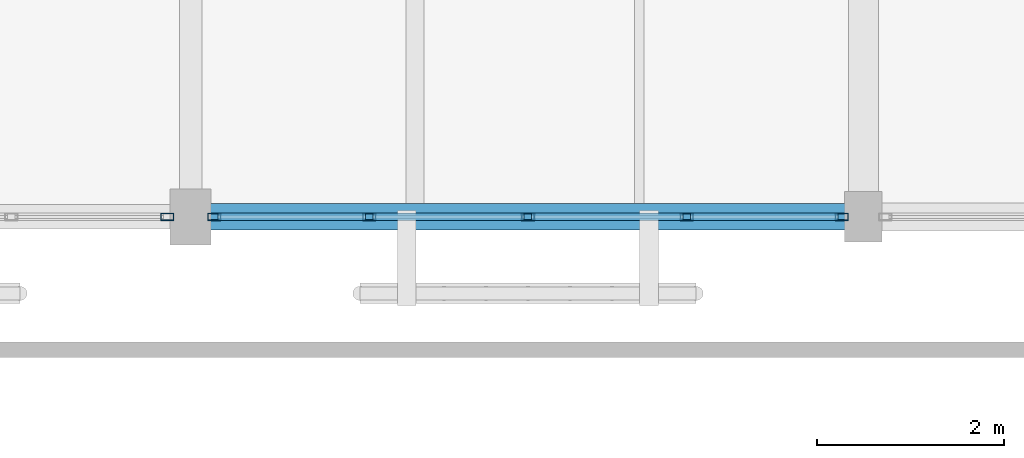
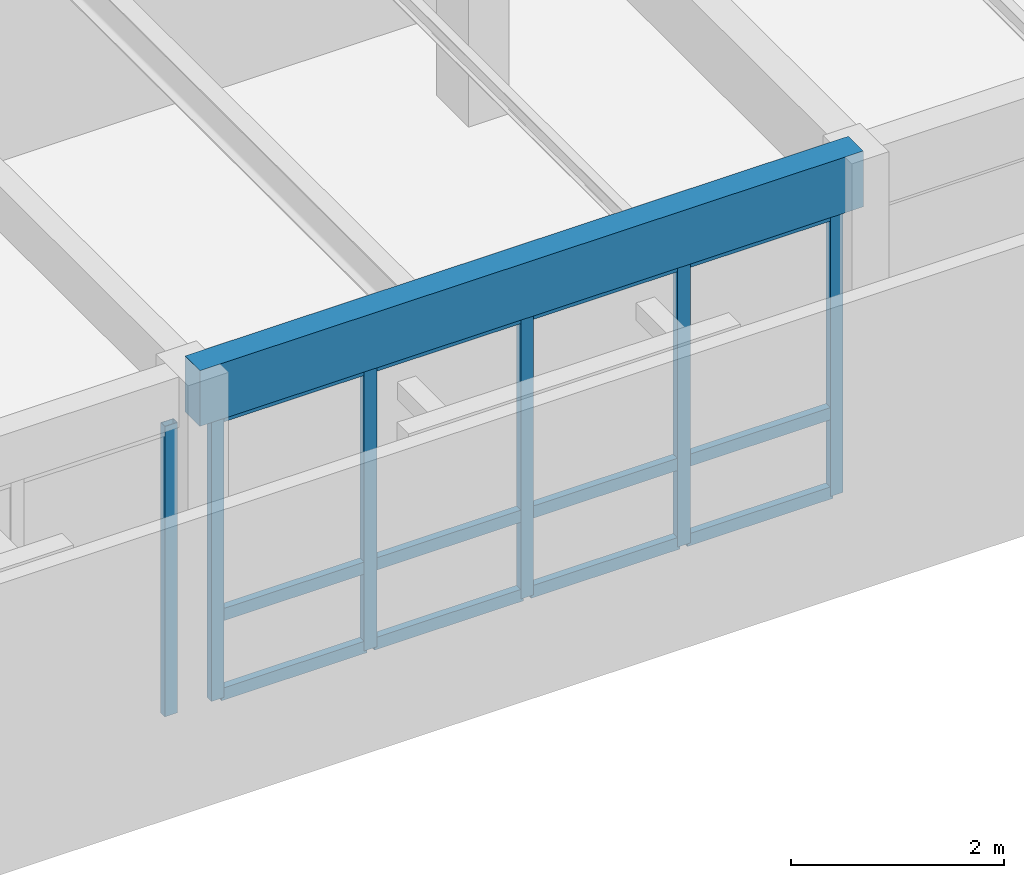
# One storey, part 153 of 217: 18 members, 1 beam, 2 elements without a shape of their own.
"""IFC4 building model written with IfcOpenShell, lengths in metres."""

from ifc_helpers import new_model, si_unit, direction, frame, origin, origin_2d, place, context, subcontext, project, spatial, rectangle, hollow_rectangle, extrude, material, layer, layer_set, material_profile, profile_set, type_object, element, aggregate, save


model = new_model("IFC4")

# Units and contexts
model_context = context("Model", 3, precision=1e-05, world=origin(), true_north=direction((0.0, 1.0)))
body_context = subcontext(model_context, "Body", "Model", "MODEL_VIEW")
ifc_project = project(units=[si_unit("LENGTHUNIT", "METRE"), si_unit("AREAUNIT", "SQUARE_METRE"), si_unit("VOLUMEUNIT", "CUBIC_METRE"), si_unit("PLANEANGLEUNIT", "RADIAN"), si_unit("MASSUNIT", "GRAM", prefix="KILO")], contexts=[model_context])

# Site, building, storey
site_placement = place(None, origin())
site = spatial("IfcSite", under=ifc_project, at=site_placement, CompositionType="ELEMENT")
building_placement = place(site_placement, origin())
building = spatial("IfcBuilding", under=site, at=building_placement, Name="Mazaris Harbour Polytechnic", CompositionType="ELEMENT")
storey_placement = place(building_placement, frame((0.0, 0.0, 9.60009765625)))
storey = spatial("IfcBuildingStorey", under=building, at=storey_placement, Name="L02", CompositionType="ELEMENT", Elevation=9.60009765625)

# Curtain wall, member
ifc_material_1 = material(Name="Anodised Bronze Aluminium and Low-E Glass", Category="aluminium")
ifc_layer = layer(ifc_material_1, 0.169921875, Name="Anodised Bronze Aluminium and Low-E Glass")
ifc_layer_set = layer_set([ifc_layer], Name="Anodised Bronze Aluminium and Low-E Glass")
curtain_wall_type = type_object("IfcCurtainWallType", Name="Studio North-Light Curtain Wall", PredefinedType="NOTDEFINED", material=ifc_layer_set)
curtain_wall_1_placement = place(storey_placement, origin())
curtain_wall_1 = element("IfcCurtainWall", 1, at=curtain_wall_1_placement, inside=storey, type_object=curtain_wall_type, Name="V5 L02 Curtain Wall 238", PredefinedType="NOTDEFINED")
ifc_material_2 = material(Name="Anodised Bronze Steel S355", Category="steel")
ifc_material_profile_1 = material_profile(ifc_material_2, hollow_rectangle(XDim=0.080078125, YDim=0.139892578125, WallThickness=0.00634765625, at=origin_2d()), Name="RHS 80x140x6.3")
ifc_profile_set_1 = profile_set([ifc_material_profile_1], Name="Anodised Bronze Steel S355")
member_type_1 = type_object("IfcMemberType", Name="Curtain Mullion RHS80x140", PredefinedType="MULLION", material=ifc_profile_set_1)
member_1_placement = place(storey_placement, frame((143.748046875, 86.39990234375, 0.0), z_axis=(0.0, 0.0, 1.0), x_axis=(0.0, -1.0, 0.0)))
member_1 = element("IfcMember", 2, at=member_1_placement, type_object=member_type_1, Name="CW-03 mullion 1", PredefinedType="MULLION", context=body_context, shape_type="SweptSolid", body=[
    extrude(hollow_rectangle(XDim=0.080078125, YDim=0.139892578125, WallThickness=0.00634765625, at=origin_2d()), origin(), (0.0, 0.0, 1.0), 3.329833984375),
])
aggregate(curtain_wall_1, [member_1])

# Curtain wall, members
curtain_wall_2_placement = place(storey_placement, origin())
curtain_wall_2 = element("IfcCurtainWall", 3, at=curtain_wall_2_placement, inside=storey, type_object=curtain_wall_type, Name="V5 L02 Curtain Wall 239", PredefinedType="NOTDEFINED")
member_2_placement = place(storey_placement, frame((150.968017578125, 86.39990234375, 0.0), z_axis=(0.0, 0.0, 1.0), x_axis=(0.0, -1.0, 0.0)))
member_2 = element("IfcMember", 4, at=member_2_placement, type_object=member_type_1, Name="CW-03 mullion 1", PredefinedType="MULLION", context=body_context, shape_type="SweptSolid", body=[
    extrude(hollow_rectangle(XDim=0.080078125, YDim=0.139892578125, WallThickness=0.00634765625, at=origin_2d()), origin(), (0.0, 0.0, 1.0), 3.27001953125),
])
member_3_placement = place(storey_placement, frame((149.30908203125, 86.39990234375, 0.0), z_axis=(0.0, 0.0, 1.0), x_axis=(0.0, -1.0, 0.0)))
member_3 = element("IfcMember", 5, at=member_3_placement, type_object=member_type_1, Name="CW-03 mullion 2", PredefinedType="MULLION", context=body_context, shape_type="SweptSolid", body=[
    extrude(hollow_rectangle(XDim=0.080078125, YDim=0.139892578125, WallThickness=0.00634765625, at=origin_2d()), origin(), (0.0, 0.0, 1.0), 3.27001953125),
])
member_4_placement = place(storey_placement, frame((147.610107421875, 86.39990234375, 0.0), z_axis=(0.0, 0.0, 1.0), x_axis=(0.0, -1.0, 0.0)))
member_4 = element("IfcMember", 6, at=member_4_placement, type_object=member_type_1, Name="CW-03 mullion 3", PredefinedType="MULLION", context=body_context, shape_type="SweptSolid", body=[
    extrude(hollow_rectangle(XDim=0.080078125, YDim=0.139892578125, WallThickness=0.00634765625, at=origin_2d()), origin(), (0.0, 0.0, 1.0), 3.27001953125),
])
member_5_placement = place(storey_placement, frame((145.910888671875, 86.39990234375, 0.0), z_axis=(0.0, 0.0, 1.0), x_axis=(0.0, -1.0, 0.0)))
member_5 = element("IfcMember", 7, at=member_5_placement, type_object=member_type_1, Name="CW-03 mullion 4", PredefinedType="MULLION", context=body_context, shape_type="SweptSolid", body=[
    extrude(hollow_rectangle(XDim=0.080078125, YDim=0.139892578125, WallThickness=0.00634765625, at=origin_2d()), origin(), (0.0, 0.0, 1.0), 3.27001953125),
])
member_6_placement = place(storey_placement, frame((144.251953125, 86.39990234375, 0.0), z_axis=(0.0, 0.0, 1.0), x_axis=(0.0, -1.0, 0.0)))
member_6 = element("IfcMember", 8, at=member_6_placement, type_object=member_type_1, Name="CW-03 mullion 5", PredefinedType="MULLION", context=body_context, shape_type="SweptSolid", body=[
    extrude(hollow_rectangle(XDim=0.080078125, YDim=0.139892578125, WallThickness=0.00634765625, at=origin_2d()), origin(), (0.0, 0.0, 1.0), 3.27001953125),
])
ifc_material_3 = material(Name="Anodised Bronze Steel S355", Category="steel")
ifc_material_profile_2 = material_profile(ifc_material_3, hollow_rectangle(XDim=0.080078125, YDim=0.139892578125, WallThickness=0.00634765625, at=origin_2d()), Name="RHS 80x140x6.3")
ifc_profile_set_2 = profile_set([ifc_material_profile_2], Name="Anodised Bronze Steel S355")
member_type_2 = type_object("IfcMemberType", Name="Curtain Transom RHS80x140", PredefinedType="USERDEFINED", material=ifc_profile_set_2)
member_7_placement = place(storey_placement, frame((150.927978515625, 86.39990234375, 0.039794921875), z_axis=(-1.0, 0.0, 0.0), x_axis=(0.0, -1.0, 0.0)))
member_7 = element("IfcMember", 9, at=member_7_placement, type_object=member_type_2, Name="CW-03 transom 1.1", ObjectType="TRANSOM", PredefinedType="USERDEFINED", context=body_context, shape_type="SweptSolid", body=[
    extrude(hollow_rectangle(XDim=0.080078125, YDim=0.139892578125, WallThickness=0.00634765625, at=origin_2d()), origin(), (0.0, 0.0, 1.0), 1.578857421875),
])
member_8_placement = place(storey_placement, frame((150.927978515625, 86.39990234375, 0.949951171875), z_axis=(-1.0, 0.0, 0.0), x_axis=(0.0, -1.0, 0.0)))
member_8 = element("IfcMember", 10, at=member_8_placement, type_object=member_type_2, Name="CW-03 transom 1.2", ObjectType="TRANSOM", PredefinedType="USERDEFINED", context=body_context, shape_type="SweptSolid", body=[
    extrude(hollow_rectangle(XDim=0.080078125, YDim=0.139892578125, WallThickness=0.00634765625, at=origin_2d()), origin(), (0.0, 0.0, 1.0), 1.578857421875),
])
member_9_placement = place(storey_placement, frame((150.927978515625, 86.39990234375, 3.22998046875), z_axis=(-1.0, 0.0, 0.0), x_axis=(0.0, -1.0, 0.0)))
member_9 = element("IfcMember", 11, at=member_9_placement, type_object=member_type_2, Name="CW-03 transom 1.3", ObjectType="TRANSOM", PredefinedType="USERDEFINED", context=body_context, shape_type="SweptSolid", body=[
    extrude(hollow_rectangle(XDim=0.080078125, YDim=0.139892578125, WallThickness=0.00634765625, at=origin_2d()), origin(), (0.0, 0.0, 1.0), 1.578857421875),
])
member_10_placement = place(storey_placement, frame((149.26904296875, 86.39990234375, 0.039794921875), z_axis=(-1.0, 0.0, 0.0), x_axis=(0.0, -1.0, 0.0)))
member_10 = element("IfcMember", 12, at=member_10_placement, type_object=member_type_2, Name="CW-03 transom 2.1", ObjectType="TRANSOM", PredefinedType="USERDEFINED", context=body_context, shape_type="SweptSolid", body=[
    extrude(hollow_rectangle(XDim=0.080078125, YDim=0.139892578125, WallThickness=0.00634765625, at=origin_2d()), origin(), (0.0, 0.0, 1.0), 1.619140625),
])
member_11_placement = place(storey_placement, frame((149.26904296875, 86.39990234375, 0.949951171875), z_axis=(-1.0, 0.0, 0.0), x_axis=(0.0, -1.0, 0.0)))
member_11 = element("IfcMember", 13, at=member_11_placement, type_object=member_type_2, Name="CW-03 transom 2.2", ObjectType="TRANSOM", PredefinedType="USERDEFINED", context=body_context, shape_type="SweptSolid", body=[
    extrude(hollow_rectangle(XDim=0.080078125, YDim=0.139892578125, WallThickness=0.00634765625, at=origin_2d()), origin(), (0.0, 0.0, 1.0), 1.619140625),
])
member_12_placement = place(storey_placement, frame((149.26904296875, 86.39990234375, 3.22998046875), z_axis=(-1.0, 0.0, 0.0), x_axis=(0.0, -1.0, 0.0)))
member_12 = element("IfcMember", 14, at=member_12_placement, type_object=member_type_2, Name="CW-03 transom 2.3", ObjectType="TRANSOM", PredefinedType="USERDEFINED", context=body_context, shape_type="SweptSolid", body=[
    extrude(hollow_rectangle(XDim=0.080078125, YDim=0.139892578125, WallThickness=0.00634765625, at=origin_2d()), origin(), (0.0, 0.0, 1.0), 1.619140625),
])
member_13_placement = place(storey_placement, frame((147.570068359375, 86.39990234375, 0.039794921875), z_axis=(-1.0, 0.0, 0.0), x_axis=(0.0, -1.0, 0.0)))
member_13 = element("IfcMember", 15, at=member_13_placement, type_object=member_type_2, Name="CW-03 transom 3.1", ObjectType="TRANSOM", PredefinedType="USERDEFINED", context=body_context, shape_type="SweptSolid", body=[
    extrude(hollow_rectangle(XDim=0.080078125, YDim=0.139892578125, WallThickness=0.00634765625, at=origin_2d()), origin(), (0.0, 0.0, 1.0), 1.619140625),
])
member_14_placement = place(storey_placement, frame((147.570068359375, 86.39990234375, 0.949951171875), z_axis=(-1.0, 0.0, 0.0), x_axis=(0.0, -1.0, 0.0)))
member_14 = element("IfcMember", 16, at=member_14_placement, type_object=member_type_2, Name="CW-03 transom 3.2", ObjectType="TRANSOM", PredefinedType="USERDEFINED", context=body_context, shape_type="SweptSolid", body=[
    extrude(hollow_rectangle(XDim=0.080078125, YDim=0.139892578125, WallThickness=0.00634765625, at=origin_2d()), origin(), (0.0, 0.0, 1.0), 1.619140625),
])
member_15_placement = place(storey_placement, frame((147.570068359375, 86.39990234375, 3.22998046875), z_axis=(-1.0, 0.0, 0.0), x_axis=(0.0, -1.0, 0.0)))
member_15 = element("IfcMember", 17, at=member_15_placement, type_object=member_type_2, Name="CW-03 transom 3.3", ObjectType="TRANSOM", PredefinedType="USERDEFINED", context=body_context, shape_type="SweptSolid", body=[
    extrude(hollow_rectangle(XDim=0.080078125, YDim=0.139892578125, WallThickness=0.00634765625, at=origin_2d()), origin(), (0.0, 0.0, 1.0), 1.619140625),
])
member_16_placement = place(storey_placement, frame((145.87109375, 86.39990234375, 0.039794921875), z_axis=(-1.0, 0.0, 0.0), x_axis=(0.0, -1.0, 0.0)))
member_16 = element("IfcMember", 18, at=member_16_placement, type_object=member_type_2, Name="CW-03 transom 4.1", ObjectType="TRANSOM", PredefinedType="USERDEFINED", context=body_context, shape_type="SweptSolid", body=[
    extrude(hollow_rectangle(XDim=0.080078125, YDim=0.139892578125, WallThickness=0.00634765625, at=origin_2d()), origin(), (0.0, 0.0, 1.0), 1.5791015625),
])
member_17_placement = place(storey_placement, frame((145.87109375, 86.39990234375, 0.949951171875), z_axis=(-1.0, 0.0, 0.0), x_axis=(0.0, -1.0, 0.0)))
member_17 = element("IfcMember", 19, at=member_17_placement, type_object=member_type_2, Name="CW-03 transom 4.2", ObjectType="TRANSOM", PredefinedType="USERDEFINED", context=body_context, shape_type="SweptSolid", body=[
    extrude(hollow_rectangle(XDim=0.080078125, YDim=0.139892578125, WallThickness=0.00634765625, at=origin_2d()), origin(), (0.0, 0.0, 1.0), 1.5791015625),
])
member_18_placement = place(storey_placement, frame((145.87109375, 86.39990234375, 3.22998046875), z_axis=(-1.0, 0.0, 0.0), x_axis=(0.0, -1.0, 0.0)))
member_18 = element("IfcMember", 20, at=member_18_placement, type_object=member_type_2, Name="CW-03 transom 4.3", ObjectType="TRANSOM", PredefinedType="USERDEFINED", context=body_context, shape_type="SweptSolid", body=[
    extrude(hollow_rectangle(XDim=0.080078125, YDim=0.139892578125, WallThickness=0.00634765625, at=origin_2d()), origin(), (0.0, 0.0, 1.0), 1.5791015625),
])
aggregate(curtain_wall_2, [member_2, member_3, member_4, member_5, member_6, member_7, member_8, member_9, member_10, member_11, member_12, member_13, member_14, member_15, member_16, member_17, member_18])

# Beam
ifc_material_4 = material(Name="Glulam GL32h", Category="wood")
ifc_material_profile_3 = material_profile(ifc_material_4, rectangle(XDim=0.280029296875, YDim=0.639892578125, at=origin_2d()), Name="RECT280x640")
ifc_profile_set_3 = profile_set([ifc_material_profile_3], Name="Glulam GL32h")
beam_type = type_object("IfcBeamType", Name="Glulam Girder 280x640", PredefinedType="BEAM", material=ifc_profile_set_3)
beam_placement = place(storey_placement, frame((144.0, 86.39990234375, 3.599853515625), z_axis=(1.0, 0.0, 0.0), x_axis=(0.0, 1.0, 0.0)))
element("IfcBeam", 21, at=beam_placement, inside=storey, type_object=beam_type, Name="V5 L02 Girder 3152", PredefinedType="BEAM", context=body_context, shape_type="SweptSolid", body=[
    extrude(rectangle(XDim=0.280029296875, YDim=0.639892578125, at=origin_2d()), origin(), (0.0, 0.0, 1.0), 7.199951171875),
])

save(model, "model.ifc")
